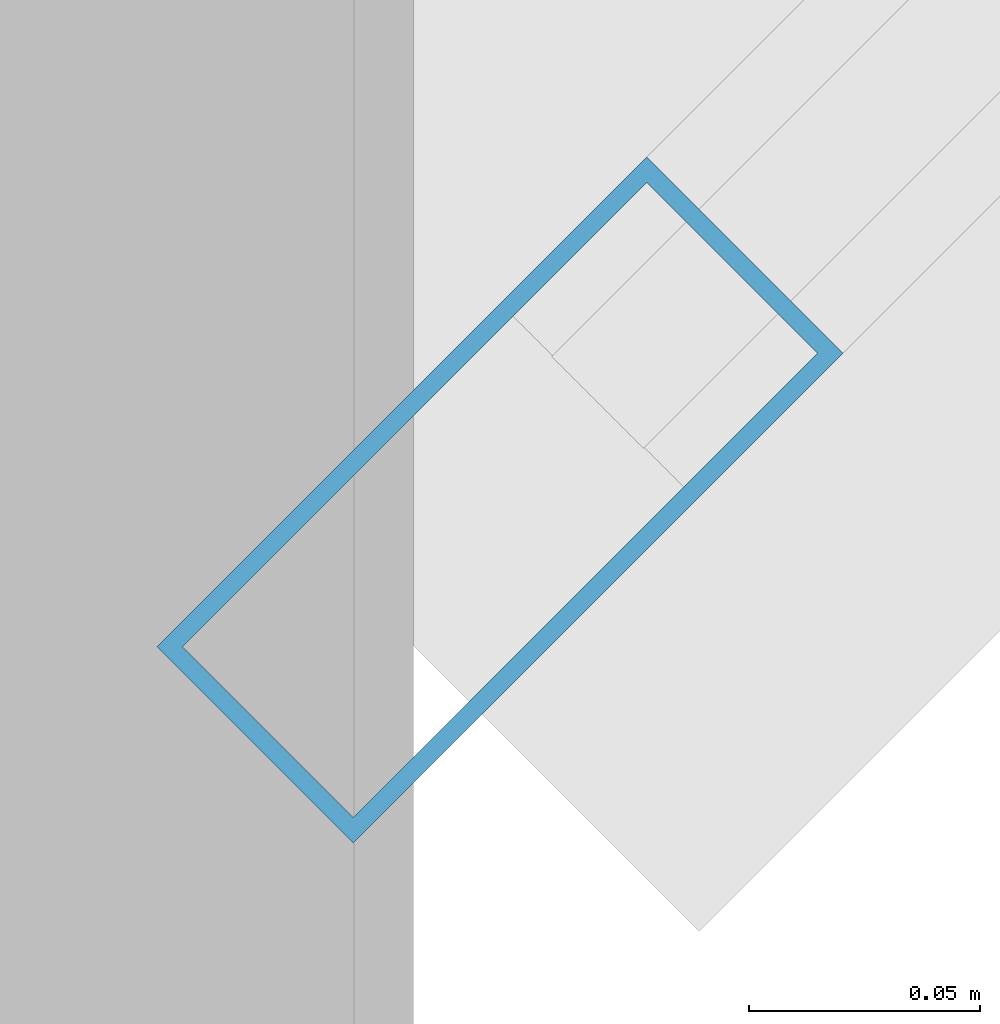
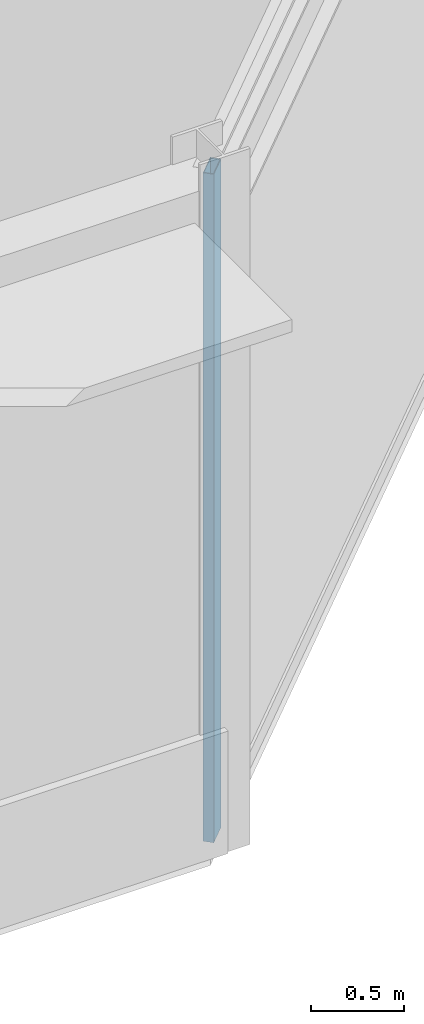
# One storey, part 21 of 89: 1 member, 1 element without a shape of its own.
"""IFC4 building model written with IfcOpenShell, lengths in metres."""

import ifcopenshell
import ifcopenshell.guid

model = None  # the IFC model being written
_history = None  # IfcOwnerHistory: only IFC2X3 demands one
_inside = {}  # id of a spatial element -> (the spatial element, [elements in it])
_under = {}  # id of a project, library or spatial element -> (it, [spatial elements below it])
_declared = {}  # id of a project -> (the project, [libraries it declares])
_typed = {}  # id of a type object -> (the type object, [elements of that type])
_made_of = {}  # id of a material, layer set ... -> (it, [elements and type objects made of it])


def new_model(schema):
    """Start an empty IFC model of exactly this schema.

    Asked for "IFC4X3", IfcOpenShell would pick the latest addendum, in which some entities
    have other attributes; the version numbers below select the first issue.
    IFC2X3 requires an IfcOwnerHistory on every rooted entity: one is made here for all.
    """
    global model, _history
    if schema == "IFC4X3":
        model = ifcopenshell.file(schema_version=(4, 3, 0, 0))
    else:
        model = ifcopenshell.file(schema=schema)
    _inside.clear()
    _under.clear()
    _declared.clear()
    _typed.clear()
    _made_of.clear()
    _history = None
    if model.schema == "IFC2X3":
        org = make("IfcOrganization", Name="unknown")
        user = make(
            "IfcPersonAndOrganization",
            ThePerson=make("IfcPerson", FamilyName="unknown"),
            TheOrganization=org,
        )
        app = make(
            "IfcApplication",
            ApplicationDeveloper=org,
            Version="unknown",
            ApplicationFullName="unknown",
            ApplicationIdentifier="unknown",
        )
        _history = make(
            "IfcOwnerHistory",
            OwningUser=user,
            OwningApplication=app,
            ChangeAction="ADDED",
            CreationDate=0,
        )
    return model


def make(cls, **values):
    """One entity of the class cls with the attributes given. An attribute that is None is left unset."""
    return model.create_entity(
        cls, **{name: value for name, value in values.items() if value is not None}
    )


def rooted(cls, **values):
    """An entity with a GlobalId (a new one), such as an element, a storey or a relation."""
    return make(cls, GlobalId=ifcopenshell.guid.new(), OwnerHistory=_history, **values)


def si_unit(unit_type, name, prefix=None):
    """IfcSIUnit, for example si_unit("LENGTHUNIT", "METRE", prefix="MILLI")."""
    return make("IfcSIUnit", UnitType=unit_type, Prefix=prefix, Name=name)


def assignment(units):
    """IfcUnitAssignment: the units of a project."""
    return None if units is None else make("IfcUnitAssignment", Units=units)


def point(xyz):
    """IfcCartesianPoint."""
    return None if xyz is None else make("IfcCartesianPoint", Coordinates=xyz)


def direction(xyz):
    """IfcDirection."""
    return None if xyz is None else make("IfcDirection", DirectionRatios=xyz)


def frame(location, z_axis=None, x_axis=None):
    """IfcAxis2Placement3D, a coordinate frame: its origin and axes. An axis left out is left unset."""
    return make(
        "IfcAxis2Placement3D",
        Location=point(location),
        Axis=direction(z_axis),
        RefDirection=direction(x_axis),
    )


def frame_2d(location, x_axis=None):
    """IfcAxis2Placement2D, a coordinate frame in the plane: its origin and x axis."""
    return make(
        "IfcAxis2Placement2D", Location=point(location), RefDirection=direction(x_axis)
    )


def origin():
    """The frame at (0, 0, 0) with its axes left unset."""
    return frame((0.0, 0.0, 0.0))


def origin_2d():
    """The frame at (0, 0) in the plane with its x axis left unset."""
    return frame_2d((0.0, 0.0))


def place(relative_to, where):
    """IfcLocalPlacement: puts the frame where relative to a parent placement (None: the world)."""
    return make(
        "IfcLocalPlacement", PlacementRelTo=relative_to, RelativePlacement=where
    )


def context(
    kind, dimensions, precision=None, world=None, true_north=None, identifier=None
):
    """IfcGeometricRepresentationContext, for example the 3D "Model" context."""
    return make(
        "IfcGeometricRepresentationContext",
        ContextIdentifier=identifier,
        ContextType=kind,
        CoordinateSpaceDimension=dimensions,
        Precision=precision,
        WorldCoordinateSystem=world,
        TrueNorth=true_north,
    )


def subcontext(parent, identifier, kind, view, scale=None):
    """IfcGeometricRepresentationSubContext, for example "Body" below "Model"."""
    return make(
        "IfcGeometricRepresentationSubContext",
        ContextIdentifier=identifier,
        ContextType=kind,
        ParentContext=parent,
        TargetScale=scale,
        TargetView=view,
    )


def project(units=None, contexts=None):
    """IfcProject with its units and contexts."""
    return rooted(
        "IfcProject",
        Name="project",
        RepresentationContexts=contexts,
        UnitsInContext=assignment(units),
    )


def spatial(cls, under=None, at=None, **own):
    """A site, building, storey or space (cls), placed at a placement, below another one or the project."""
    s = rooted(cls, ObjectPlacement=at, **own)
    if under is not None:
        _under.setdefault(under.id(), (under, []))[1].append(s)
    return s


def profile(cls, at=None, kind="AREA", **sizes):
    """A parametric profile (cls). Its sizes go by their IFC names, for example OverallWidth=200.0."""
    return make(cls, ProfileType=kind, Position=at, **sizes)


def hollow_rectangle(**sizes):
    """IfcRectangleHollowProfileDef."""
    return profile("IfcRectangleHollowProfileDef", **sizes)


def extrude(swept, where, along, depth):
    """IfcExtrudedAreaSolid: the profile swept, set in the frame where, extruded along a direction by depth."""
    return make(
        "IfcExtrudedAreaSolid",
        SweptArea=swept,
        Position=where,
        ExtrudedDirection=direction(along),
        Depth=depth,
    )


def shape(context_of_items, identifier, shape_type, items):
    """IfcShapeRepresentation: the items that make up one representation, for example the "Body"."""
    return make(
        "IfcShapeRepresentation",
        ContextOfItems=context_of_items,
        RepresentationIdentifier=identifier,
        RepresentationType=shape_type,
        Items=items,
    )


def material(Name=None, Category=None):
    """IfcMaterial."""
    return make("IfcMaterial", Name=Name, Category=Category)


def material_profile(
    of_material, cross_section, Name=None, Category=None, Priority=None
):
    """IfcMaterialProfile: a cross section and its material."""
    return make(
        "IfcMaterialProfile",
        Name=Name,
        Material=of_material,
        Profile=cross_section,
        Priority=Priority,
        Category=Category,
    )


def profile_set(profiles, Name=None, composite=None):
    """IfcMaterialProfileSet."""
    return make(
        "IfcMaterialProfileSet",
        Name=Name,
        MaterialProfiles=profiles,
        CompositeProfile=composite,
    )


def made_of(thing, what):
    """Note that an element or type object is made of a material, layer set ...; save() writes the relation."""
    if what is not None:
        _made_of.setdefault(what.id(), (what, []))[1].append(thing)
    return thing


def type_object(cls, material=None, **own):
    """A type object (cls), such as IfcWallType, which elements share."""
    return made_of(rooted(cls, **own), material)


def element(
    cls,
    number,
    at=None,
    inside=None,
    cuts=None,
    type_object=None,
    material=None,
    context=None,
    identifier="Body",
    shape_type=None,
    held_by="IfcProductDefinitionShape",
    body=None,
    shapes=None,
    **own,
):
    """One element of the class cls, such as IfcWall. Its Tag is "e" and its number.

    at: its placement. inside: the storey or other place that contains it. cuts: it is an
    opening in that element (IfcRelVoidsElement). A single representation is given by context,
    identifier, shape_type and body (its items); several are given by shapes. held_by: the class
    of the entity that holds the representations. save() writes the other relations.
    """
    e = rooted(cls, Tag="e%d" % number, ObjectPlacement=at, **own)
    if body is not None:
        shapes = [shape(context, identifier, shape_type, body)]
    if shapes is not None:
        e.Representation = make(held_by, Representations=shapes)
    if inside is not None:
        _inside.setdefault(inside.id(), (inside, []))[1].append(e)
    if cuts is not None:
        rooted(
            "IfcRelVoidsElement", RelatingBuildingElement=cuts, RelatedOpeningElement=e
        )
    if type_object is not None:
        _typed.setdefault(type_object.id(), (type_object, []))[1].append(e)
    return made_of(e, material)


def aggregate(whole, parts):
    """IfcRelAggregates: a whole, such as a stair, and the parts it consists of."""
    return rooted("IfcRelAggregates", RelatingObject=whole, RelatedObjects=parts)


def save(model, path):
    """Write the relations noted so far, then the file.

    IfcRelAggregates (storeys below a building ...), IfcRelContainedInSpatialStructure (elements
    in a storey), IfcRelDefinesByType, IfcRelAssociatesMaterial and IfcRelDeclares: one each for
    every whole, place, type object, material and project.
    """
    for whole, parts in _under.values():
        aggregate(whole, parts)
    for where, things in _inside.values():
        rooted(
            "IfcRelContainedInSpatialStructure",
            RelatedElements=things,
            RelatingStructure=where,
        )
    for kind, things in _typed.values():
        rooted("IfcRelDefinesByType", RelatedObjects=things, RelatingType=kind)
    for what, things in _made_of.values():
        rooted("IfcRelAssociatesMaterial", RelatedObjects=things, RelatingMaterial=what)
    for by, libraries in _declared.values():
        rooted("IfcRelDeclares", RelatingContext=by, RelatedDefinitions=libraries)
    model.write(path)


model = new_model("IFC4")

# Units and contexts
model_context = context("Model", 3, precision=1e-05, world=origin(), true_north=direction((0.0, 1.0)))
body_context = subcontext(model_context, "Body", "Model", "MODEL_VIEW")
ifc_project = project(units=[si_unit("LENGTHUNIT", "METRE"), si_unit("AREAUNIT", "SQUARE_METRE"), si_unit("VOLUMEUNIT", "CUBIC_METRE"), si_unit("PLANEANGLEUNIT", "RADIAN"), si_unit("MASSUNIT", "GRAM", prefix="KILO")], contexts=[model_context])

# Site, building, storey
site_placement = place(None, origin())
site = spatial("IfcSite", under=ifc_project, at=site_placement, CompositionType="ELEMENT")
building_placement = place(site_placement, origin())
building = spatial("IfcBuilding", under=site, at=building_placement, Name="Almandine Court Research Institute", CompositionType="ELEMENT")
storey_placement = place(building_placement, frame((0.0, 0.0, 18.89990234375)))
storey = spatial("IfcBuildingStorey", under=building, at=storey_placement, Name="L04", CompositionType="ELEMENT", Elevation=18.89990234375)

# Curtain wall, member
ifc_material_1 = material(Name="Unitised Curtain Wall Framing and Solar Glazing", Category="glass")
curtain_wall_type = type_object("IfcCurtainWallType", Name="CW-CWG-08", PredefinedType="USERDEFINED", material=ifc_material_1)
curtain_wall_placement = place(storey_placement, origin())
curtain_wall = element("IfcCurtainWall", 1, at=curtain_wall_placement, inside=storey, type_object=curtain_wall_type, Name="L04 Cleanroom SE Chamfer Glazing", ObjectType="UNITISED GLAZING", PredefinedType="USERDEFINED")
ifc_material_2 = material(Name="Anodised Aluminium AW-6063-T6", Category="aluminium")
ifc_material_profile = material_profile(ifc_material_2, hollow_rectangle(XDim=0.06005859375, YDim=0.14990234375, WallThickness=0.00390625, at=origin_2d()), Name="ALU RHS 60x150x4")
ifc_profile_set = profile_set([ifc_material_profile], Name="Anodised Aluminium AW-6063-T6")
member_type = type_object("IfcMemberType", Name="CWMul-60x150", PredefinedType="MULLION", material=ifc_profile_set)
member_placement = place(storey_placement, frame((30.025146484375, 84.025146484375, 0.0), z_axis=(0.0, 0.0, 1.0), x_axis=(0.707106781187, -0.707106781187, 0.0)))
member = element("IfcMember", 2, at=member_placement, type_object=member_type, Name="CWG-08 mullion 2", PredefinedType="MULLION", context=body_context, shape_type="SweptSolid", body=[
    extrude(hollow_rectangle(XDim=0.06005859375, YDim=0.14990234375, WallThickness=0.00390625, at=origin_2d()), origin(), (0.0, 0.0, 1.0), 4.3701171875),
])
aggregate(curtain_wall, [member])

save(model, "model.ifc")
